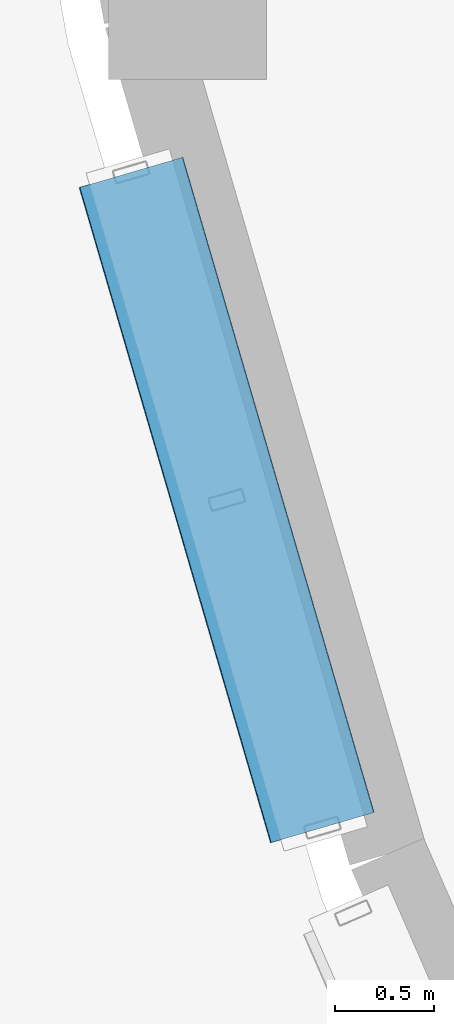
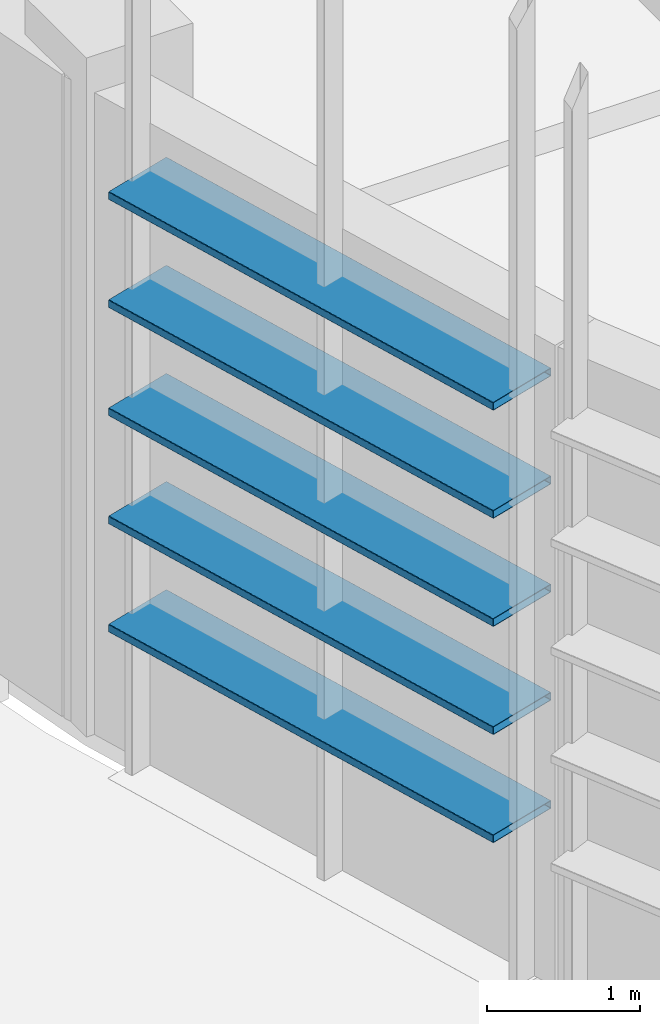
# One storey, part 74 of 372: 5 members.
"""IFC4 building model written with IfcOpenShell, lengths in metres."""

from ifc_helpers import new_model, si_unit, direction, frame, origin, origin_2d, place, context, subcontext, project, spatial, hollow_rectangle, extrude, material, material_profile, profile_set, type_object, element, save


model = new_model("IFC4")

# Units and contexts
model_context = context("Model", 3, precision=1e-05, world=origin(), true_north=direction((0.0, 1.0)))
body_context = subcontext(model_context, "Body", "Model", "MODEL_VIEW")
ifc_project = project(units=[si_unit("LENGTHUNIT", "METRE"), si_unit("AREAUNIT", "SQUARE_METRE"), si_unit("VOLUMEUNIT", "CUBIC_METRE"), si_unit("PLANEANGLEUNIT", "RADIAN"), si_unit("MASSUNIT", "GRAM", prefix="KILO")], contexts=[model_context])

# Site, building, storey
site_placement = place(None, origin())
site = spatial("IfcSite", under=ifc_project, at=site_placement, CompositionType="ELEMENT")
building_placement = place(site_placement, origin())
building = spatial("IfcBuilding", under=site, at=building_placement, Name="Kaelora Sail Theatre", CompositionType="ELEMENT")
storey_placement = place(building_placement, origin())
storey = spatial("IfcBuildingStorey", under=building, at=storey_placement, Name="L00", CompositionType="ELEMENT", Elevation=0.0)

# Members
ifc_material = material(Name="Anodised aluminium 6063-T6", Category="aluminium")
ifc_material_profile = material_profile(ifc_material, hollow_rectangle(XDim=0.550048828125, YDim=0.06494140625, WallThickness=0.00390625, InnerFilletRadius=0.00390625, OuterFilletRadius=0.008056640625, at=origin_2d()), Name="LOUVRE 550x65x4")
ifc_profile_set = profile_set([ifc_material_profile], Name="Anodised aluminium 6063-T6")
member_type = type_object("IfcMemberType", Name="ARC-MEM-LVR-300", PredefinedType="USERDEFINED", material=ifc_profile_set)
for number, where, z_axis, x_axis, name in (
    (1, (27.644287109375, 36.793212890625, 1.25), (-0.280281368484, 0.959917889447, 0.0), (-0.959917889447, -0.280281368484, 0.0), "Main Theatre Sail Drum horizontal solar louvre C18-01"),
    (2, (27.644287109375, 36.793212890625, 2.110107421875), (-0.280281368484, 0.959917889447, 0.0), (-0.959917889447, -0.280281368484, 0.0), "Main Theatre Sail Drum horizontal solar louvre C18-02"),
    (3, (27.644287109375, 36.793212890625, 2.969970703125), (-0.280281368484, 0.959917889447, 0.0), (-0.959917889447, -0.280281368484, 0.0), "Main Theatre Sail Drum horizontal solar louvre C18-03"),
    (4, (27.644287109375, 36.793212890625, 3.830078125), (-0.280281368484, 0.959917889447, 0.0), (-0.959917889447, -0.280281368484, 0.0), "Main Theatre Sail Drum horizontal solar louvre C18-04"),
    (5, (27.644287109375, 36.793212890625, 4.68994140625), (-0.280281368484, 0.959917889447, 0.0), (-0.959917889447, -0.280281368484, 0.0), "Main Theatre Sail Drum horizontal solar louvre C18-05"),
):
    element("IfcMember", number, at=place(storey_placement, frame(where, z_axis=z_axis, x_axis=x_axis)), inside=storey, type_object=member_type, Name=name, ObjectType="LOUVRE", PredefinedType="USERDEFINED", context=body_context, shape_type="SweptSolid", body=[
        extrude(hollow_rectangle(XDim=0.550048828125, YDim=0.06494140625, WallThickness=0.00390625, InnerFilletRadius=0.00390625, OuterFilletRadius=0.008056640625, at=origin_2d()), origin(), (0.0, 0.0, 1.0), 3.465087890625),
    ])

save(model, "model.ifc")
